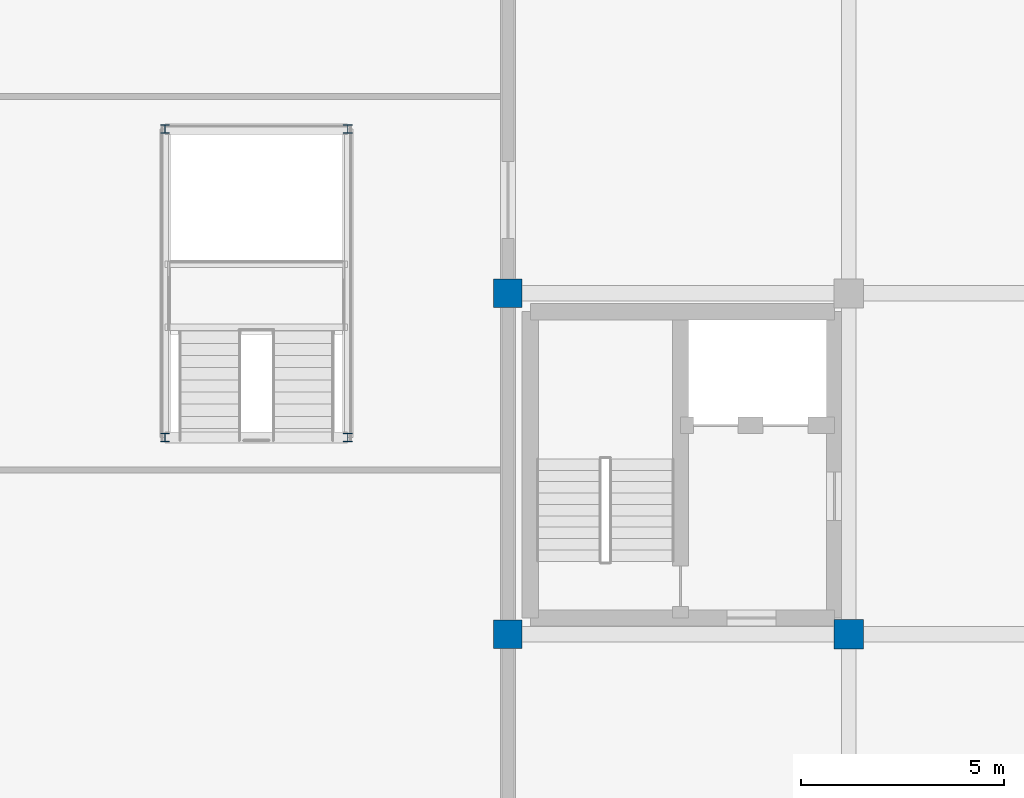
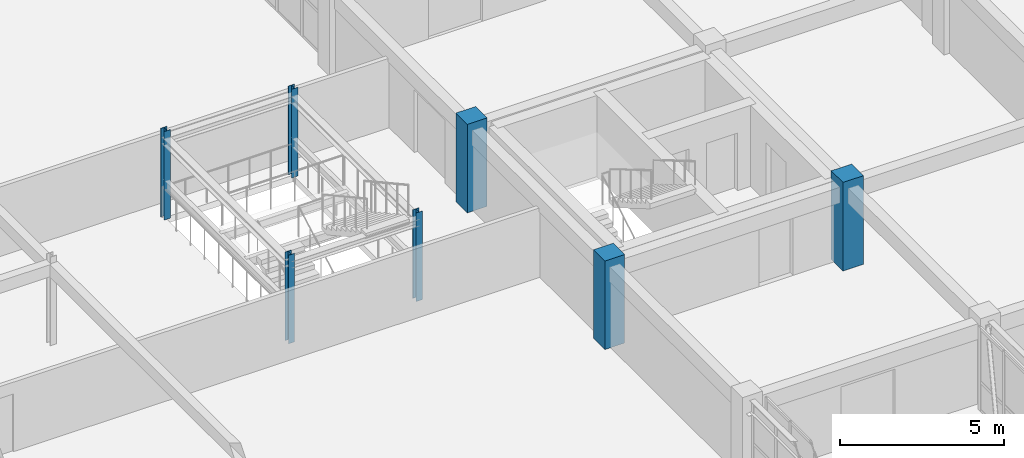
# One storey, part 4 of 148: 7 columns.
"""IFC4 building model written with IfcOpenShell, lengths in metres."""

from ifc_helpers import new_model, si_unit, direction, frame, origin, origin_2d, place, context, subcontext, project, spatial, rectangle, i_section, extrude, material, material_profile, profile_set, type_object, element, save


model = new_model("IFC4")

# Units and contexts
model_context = context("Model", 3, precision=1e-05, world=origin(), true_north=direction((0.0, 1.0)))
body_context = subcontext(model_context, "Body", "Model", "MODEL_VIEW")
ifc_project = project(units=[si_unit("LENGTHUNIT", "METRE"), si_unit("AREAUNIT", "SQUARE_METRE"), si_unit("VOLUMEUNIT", "CUBIC_METRE"), si_unit("PLANEANGLEUNIT", "RADIAN"), si_unit("MASSUNIT", "GRAM", prefix="KILO")], contexts=[model_context])

# Site, building, storey
site_placement = place(None, origin())
site = spatial("IfcSite", under=ifc_project, at=site_placement, CompositionType="ELEMENT")
building_placement = place(site_placement, origin())
building = spatial("IfcBuilding", under=site, at=building_placement, Name="Trelvath General Hospital", CompositionType="ELEMENT")
storey_placement = place(building_placement, frame((0.0, 0.0, 12.89990234375)))
storey = spatial("IfcBuildingStorey", under=building, at=storey_placement, Name="L03", CompositionType="ELEMENT", Elevation=12.89990234375)

# Columns
ifc_material_1 = material(Name="Concrete C40/50", Category="concrete")
ifc_material_profile_1 = material_profile(ifc_material_1, rectangle(XDim=0.699951171875, YDim=0.699951171875, at=origin_2d()), Name="RC700x700")
ifc_profile_set_1 = profile_set([ifc_material_profile_1], Name="Concrete C40/50")
column_type_1 = type_object("IfcColumnType", Name="Column RC700", PredefinedType="COLUMN", material=ifc_profile_set_1)
for number, where, z_axis, x_axis, name in (
    (1, (75.60009765625, 50.39990234375, 0.0), (0.0, 0.0, 1.0), (1.0, 0.0, 0.0), "Column C-10G L03"),
    (2, (75.60009765625, 58.800048828125, 0.0), (0.0, 0.0, 1.0), (1.0, 0.0, 0.0), "Column C-10H L03"),
):
    element("IfcColumn", number, at=place(storey_placement, frame(where, z_axis=z_axis, x_axis=x_axis)), inside=storey, type_object=column_type_1, Name=name, PredefinedType="COLUMN", context=body_context, shape_type="SweptSolid", body=[
        extrude(rectangle(XDim=0.699951171875, YDim=0.699951171875, at=origin_2d()), origin(), (0.0, 0.0, 1.0), 3.300048828125),
    ])
ifc_material_2 = material(Name="Concrete C40/50", Category="concrete")
ifc_material_profile_2 = material_profile(ifc_material_2, rectangle(XDim=0.719970703125, YDim=0.719970703125, at=origin_2d()), Name="RC720x720")
ifc_profile_set_2 = profile_set([ifc_material_profile_2], Name="Concrete C40/50")
column_type_2 = type_object("IfcColumnType", Name="Column RC720", PredefinedType="COLUMN", material=ifc_profile_set_2)
column_placement = place(storey_placement, frame((84.0, 50.39990234375, 0.0), z_axis=(0.0, 0.0, 1.0), x_axis=(1.0, 0.0, 0.0)))
element("IfcColumn", 3, at=column_placement, inside=storey, type_object=column_type_2, Name="Column C-11G L03", PredefinedType="COLUMN", context=body_context, shape_type="SweptSolid", body=[
    extrude(rectangle(XDim=0.719970703125, YDim=0.719970703125, at=origin_2d()), origin(), (0.0, 0.0, 1.0), 3.300048828125),
])
ifc_material_3 = material(Name="Steel S355", Category="steel")
ifc_material_profile_3 = material_profile(ifc_material_3, i_section(OverallWidth=0.219970703125, OverallDepth=0.2099609375, WebThickness=0.007080078125, FlangeThickness=0.010986328125, at=origin_2d()), Name="HEA220")
ifc_profile_set_3 = profile_set([ifc_material_profile_3], Name="Steel S355")
column_type_3 = type_object("IfcColumnType", Name="StairPost HEA220", PredefinedType="COLUMN", material=ifc_profile_set_3)
for number, where, z_axis, x_axis, name in (
    (4, (67.14990234375, 55.25, 0.0), (0.0, 0.0, 1.0), (1.0, 0.0, 0.0), "Atrium Stair Post CUBE-W 1 L03"),
    (5, (71.64990234375, 55.25, 0.0), (0.0, 0.0, 1.0), (1.0, 0.0, 0.0), "Atrium Stair Post CUBE-W 2 L03"),
    (6, (67.14990234375, 62.85009765625, 0.0), (0.0, 0.0, 1.0), (1.0, 0.0, 0.0), "Atrium Stair Post CUBE-W 3 L03"),
    (7, (71.64990234375, 62.85009765625, 0.0), (0.0, 0.0, 1.0), (1.0, 0.0, 0.0), "Atrium Stair Post CUBE-W 4 L03"),
):
    element("IfcColumn", number, at=place(storey_placement, frame(where, z_axis=z_axis, x_axis=x_axis)), inside=storey, type_object=column_type_3, Name=name, PredefinedType="COLUMN", context=body_context, shape_type="SweptSolid", body=[
        extrude(i_section(OverallWidth=0.219970703125, OverallDepth=0.2099609375, WebThickness=0.007080078125, FlangeThickness=0.010986328125, at=origin_2d()), origin(), (0.0, 0.0, 1.0), 3.300048828125),
    ])

save(model, "model.ifc")
